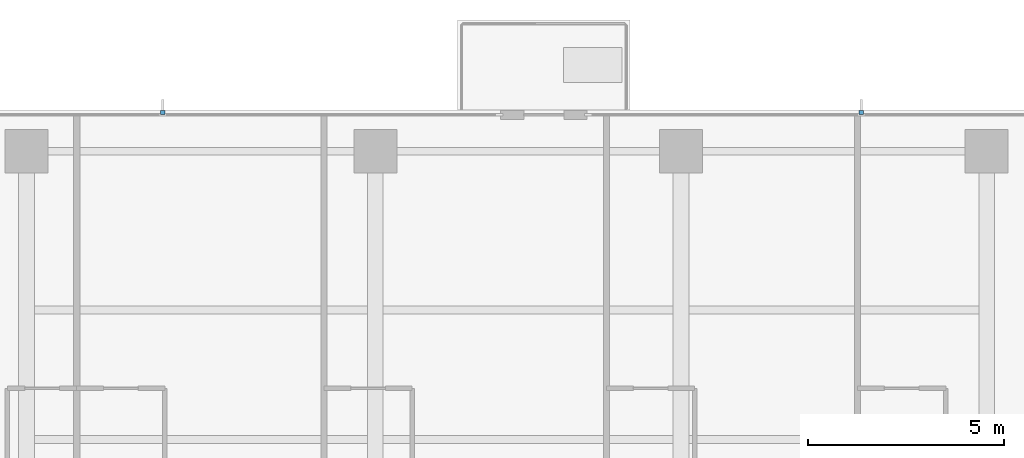
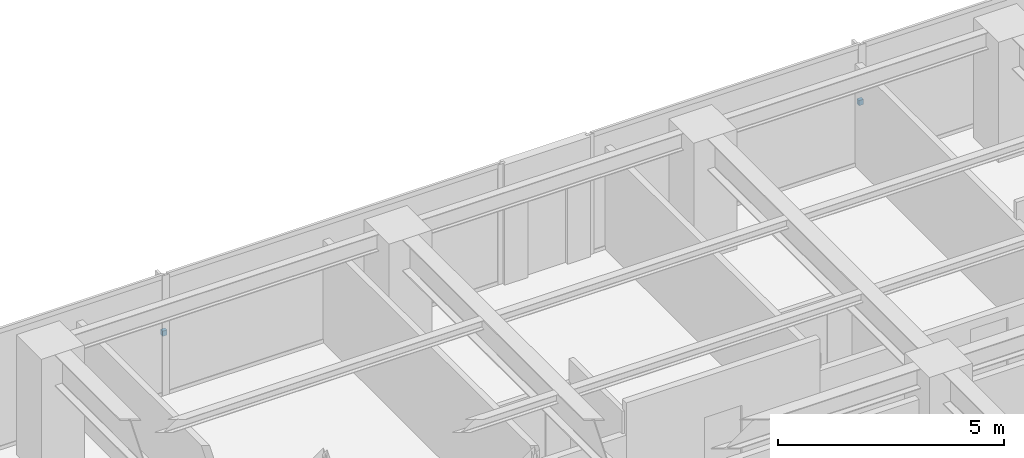
# One storey, part 13 of 15: 2 discrete accessories.
"""IFC4 building model written with IfcOpenShell, lengths in metres."""

from ifc_helpers import new_model, si_unit, direction, frame, origin, place, context, subcontext, project, spatial, polyline, outline, extrude, material, type_object, element, save


model = new_model("IFC4")

# Units and contexts
model_context = context("Model", 3, precision=1e-05, world=origin(), true_north=direction((0.0, 1.0)))
body_context = subcontext(model_context, "Body", "Model", "MODEL_VIEW")
ifc_project = project(units=[si_unit("LENGTHUNIT", "METRE"), si_unit("AREAUNIT", "SQUARE_METRE"), si_unit("VOLUMEUNIT", "CUBIC_METRE"), si_unit("PLANEANGLEUNIT", "RADIAN"), si_unit("MASSUNIT", "GRAM", prefix="KILO")], contexts=[model_context])

# Site, building, storey
site_placement = place(None, origin())
site = spatial("IfcSite", under=ifc_project, at=site_placement, CompositionType="ELEMENT")
building_placement = place(site_placement, origin())
building = spatial("IfcBuilding", under=site, at=building_placement, Name="Qalmaran Belvedere Hotel", CompositionType="ELEMENT")
storey_placement = place(building_placement, frame((0.0, 0.0, 170.10009765625)))
storey = spatial("IfcBuildingStorey", under=building, at=storey_placement, Name="L43", CompositionType="ELEMENT", Elevation=170.10009765625)

# Discrete accessories
ifc_material = material(Name="Stainless Steel 1.4401", Category="steel")
discrete_accessory_type = type_object("IfcDiscreteAccessoryType", Name="BRK-FIN-SS316", PredefinedType="BRACKET", material=ifc_material)
discrete_accessory_1_placement = place(storey_placement, frame((0.0, 0.0, 1.574951171875)))
element("IfcDiscreteAccessory", 1, at=discrete_accessory_1_placement, inside=storey, type_object=discrete_accessory_type, Name="L43 Fin Bracket 1", PredefinedType="BRACKET", context=body_context, shape_type="SweptSolid", body=[
    extrude(outline(polyline([(23.830078125, 44.39501953125), (23.830078125, 44.489990234375), (23.719970703125, 44.489990234375), (23.719970703125, 44.39501953125), (23.830078125, 44.39501953125)])), origin(), (0.0, 0.0, 1.0), 0.139892578125),
])
discrete_accessory_2_placement = place(storey_placement, frame((0.0, 0.0, 1.574951171875)))
element("IfcDiscreteAccessory", 2, at=discrete_accessory_2_placement, inside=storey, type_object=discrete_accessory_type, Name="L43 Fin Bracket 1", PredefinedType="BRACKET", context=body_context, shape_type="SweptSolid", body=[
    extrude(outline(polyline([(41.655029296875, 44.39501953125), (41.655029296875, 44.489990234375), (41.544921875, 44.489990234375), (41.544921875, 44.39501953125), (41.655029296875, 44.39501953125)])), origin(), (0.0, 0.0, 1.0), 0.139892578125),
])

save(model, "model.ifc")
